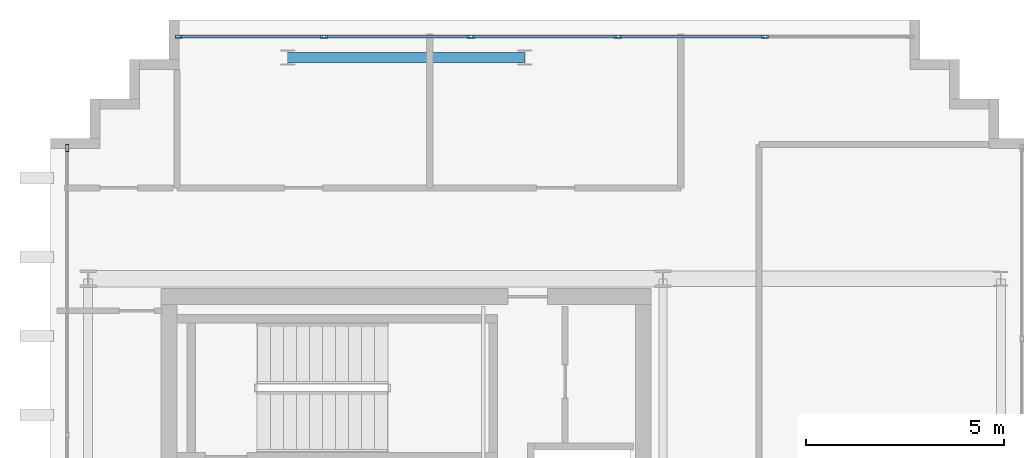
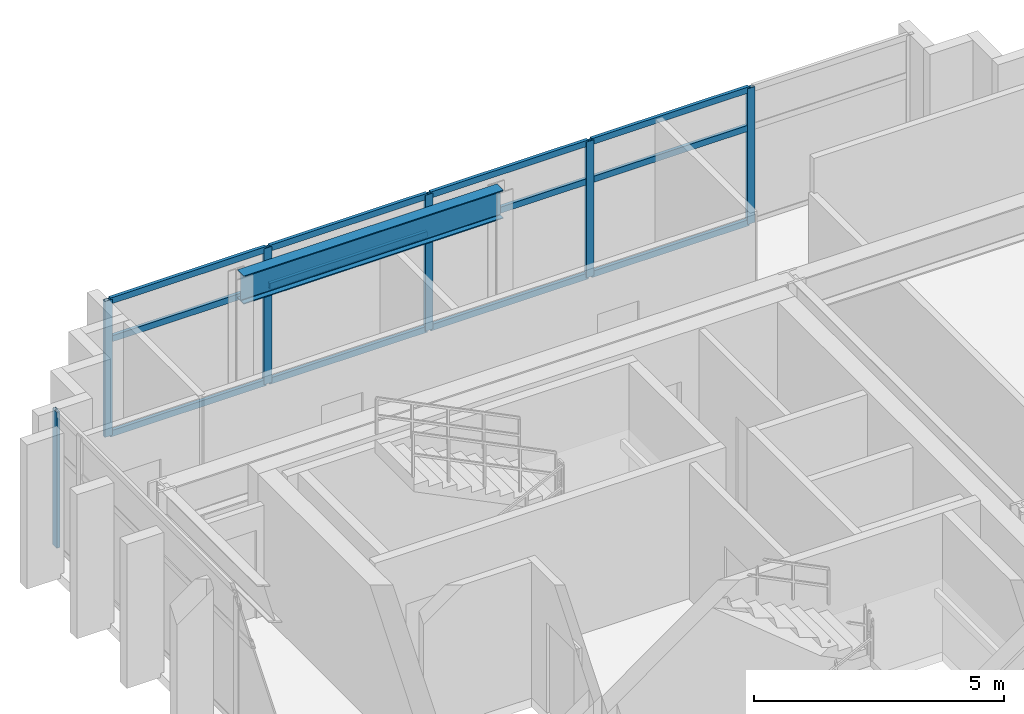
# One storey, part 9 of 15: 18 members, 1 beam, 2 elements without a shape of their own.
"""IFC4 building model written with IfcOpenShell, lengths in metres."""

from ifc_helpers import new_model, si_unit, direction, frame, origin, origin_2d, place, context, subcontext, project, spatial, hollow_rectangle, i_section, extrude, source, transform, mapped, material, layer, layer_set, material_profile, profile_set, type_object, element, aggregate, save


model = new_model("IFC4")

# Units and contexts
model_context = context("Model", 3, precision=1e-05, world=origin(), true_north=direction((0.0, 1.0)))
body_context = subcontext(model_context, "Body", "Model", "MODEL_VIEW")
ifc_project = project(units=[si_unit("LENGTHUNIT", "METRE"), si_unit("AREAUNIT", "SQUARE_METRE"), si_unit("VOLUMEUNIT", "CUBIC_METRE"), si_unit("PLANEANGLEUNIT", "RADIAN"), si_unit("MASSUNIT", "GRAM", prefix="KILO")], contexts=[model_context])

# Site, building, storey
site_placement = place(None, origin())
site = spatial("IfcSite", under=ifc_project, at=site_placement, CompositionType="ELEMENT")
building_placement = place(site_placement, origin())
building = spatial("IfcBuilding", under=site, at=building_placement, Name="Ocotamira Hotel", CompositionType="ELEMENT")
storey_placement = place(building_placement, frame((0.0, 0.0, 297.60009765625)))
storey = spatial("IfcBuildingStorey", under=building, at=storey_placement, Name="L76", CompositionType="ELEMENT", Elevation=297.60009765625)

# Beam
ifc_material_1 = material(Name="Steel ASTM A992 Grade 50", Category="steel")
ifc_material_profile_1 = material_profile(ifc_material_1, i_section(OverallWidth=0.256103515625, OverallDepth=0.693115234375, WebThickness=0.014404296875, FlangeThickness=0.023681640625, FilletRadius=0.01611328125, at=origin_2d()), Name="W27X114")
ifc_profile_set_1 = profile_set([ifc_material_profile_1], Name="Steel ASTM A992 Grade 50")
beam_type = type_object("IfcBeamType", Name="BM-PRIM-W27X114", PredefinedType="BEAM", material=ifc_profile_set_1)
shared_shape_1 = source(origin(), body_context, "Body", "SweptSolid", [
    extrude(i_section(OverallWidth=0.256103515625, OverallDepth=0.693115234375, WebThickness=0.014404296875, FlangeThickness=0.023681640625, FilletRadius=0.01611328125, at=origin_2d()), origin(), (0.0, 0.0, 1.0), 6.0),
])
beam_placement = place(storey_placement, frame((14.0, 43.050048828125, 2.973388671875), z_axis=(1.0, 0.0, 0.0), x_axis=(0.0, 1.0, 0.0)))
element("IfcBeam", 1, at=beam_placement, inside=storey, type_object=beam_type, Name="L76 Girder Y43.05 X14-20", PredefinedType="BEAM", context=body_context, shape_type="MappedRepresentation", body=[
    mapped(shared_shape_1, transform((0.0, 0.0, 0.0), scale=1.0)),
])

# Curtain wall, members
ifc_material_2 = material(Name="Anodised pale-metal aluminium and solar glass", Category="aluminium")
ifc_layer = layer(ifc_material_2, 0.2099609375)
ifc_layer_set = layer_set([ifc_layer], Name="Anodised pale-metal aluminium and solar glass")
curtain_wall_type = type_object("IfcCurtainWallType", Name="CW-SYS7-PEAK", PredefinedType="NOTDEFINED", material=ifc_layer_set)
curtain_wall_1_placement = place(storey_placement, origin())
curtain_wall_1 = element("IfcCurtainWall", 2, at=curtain_wall_1_placement, inside=storey, type_object=curtain_wall_type, Name="L76 Curtain Wall CW-7 CW-L76-N", PredefinedType="NOTDEFINED")
ifc_material_3 = material(Name="Anodised pale-metal aluminium 6063-T6", Category="aluminium")
ifc_material_profile_2 = material_profile(ifc_material_3, hollow_rectangle(XDim=0.074951171875, YDim=0.14990234375, WallThickness=0.006103515625, at=origin_2d()), Name="HSS150X75X6")
ifc_profile_set_2 = profile_set([ifc_material_profile_2], Name="Anodised pale-metal aluminium 6063-T6")
member_type_1 = type_object("IfcMemberType", Name="CWT-150X75", PredefinedType="USERDEFINED", material=ifc_profile_set_2)
shared_shape_2 = source(origin(), body_context, "Body", "SweptSolid", [
    extrude(hollow_rectangle(XDim=0.074951171875, YDim=0.14990234375, WallThickness=0.006103515625, at=origin_2d()), origin(), (0.0, 0.0, 1.0), 3.599853515625),
])
member_1_placement = place(storey_placement, frame((11.280029296875, 43.580078125, 0.037353515625), z_axis=(1.0, 0.0, 0.0), x_axis=(0.0, 1.0, 0.0)))
member_1 = element("IfcMember", 3, at=member_1_placement, type_object=member_type_1, Name="CW-7 transom 1.1", ObjectType="TRANSOM", PredefinedType="USERDEFINED", context=body_context, shape_type="MappedRepresentation", body=[
    mapped(shared_shape_2, transform((0.0, 0.0, 0.0), scale=1.0)),
])
member_2_placement = place(storey_placement, frame((11.280029296875, 43.580078125, 2.349853515625), z_axis=(1.0, 0.0, 0.0), x_axis=(0.0, 1.0, 0.0)))
member_2 = element("IfcMember", 4, at=member_2_placement, type_object=member_type_1, Name="CW-7 transom 1.2", ObjectType="TRANSOM", PredefinedType="USERDEFINED", context=body_context, shape_type="MappedRepresentation", body=[
    mapped(shared_shape_2, transform((0.0, 0.0, 0.0), scale=1.0)),
])
member_3_placement = place(storey_placement, frame((11.280029296875, 43.580078125, 3.282470703125), z_axis=(1.0, 0.0, 0.0), x_axis=(0.0, 1.0, 0.0)))
member_3 = element("IfcMember", 5, at=member_3_placement, type_object=member_type_1, Name="CW-7 transom 1.3", ObjectType="TRANSOM", PredefinedType="USERDEFINED", context=body_context, shape_type="MappedRepresentation", body=[
    mapped(shared_shape_2, transform((0.0, 0.0, 0.0), scale=1.0)),
])
shared_shape_3 = source(origin(), body_context, "Body", "SweptSolid", [
    extrude(hollow_rectangle(XDim=0.074951171875, YDim=0.14990234375, WallThickness=0.006103515625, at=origin_2d()), origin(), (0.0, 0.0, 1.0), 3.64013671875),
])
member_4_placement = place(storey_placement, frame((14.9599609375, 43.580078125, 0.037353515625), z_axis=(1.0, 0.0, 0.0), x_axis=(0.0, 1.0, 0.0)))
member_4 = element("IfcMember", 6, at=member_4_placement, type_object=member_type_1, Name="CW-7 transom 2.1", ObjectType="TRANSOM", PredefinedType="USERDEFINED", context=body_context, shape_type="MappedRepresentation", body=[
    mapped(shared_shape_3, transform((0.0, 0.0, 0.0), scale=1.0)),
])
member_5_placement = place(storey_placement, frame((14.9599609375, 43.580078125, 2.349853515625), z_axis=(1.0, 0.0, 0.0), x_axis=(0.0, 1.0, 0.0)))
member_5 = element("IfcMember", 7, at=member_5_placement, type_object=member_type_1, Name="CW-7 transom 2.2", ObjectType="TRANSOM", PredefinedType="USERDEFINED", context=body_context, shape_type="MappedRepresentation", body=[
    mapped(shared_shape_3, transform((0.0, 0.0, 0.0), scale=1.0)),
])
member_6_placement = place(storey_placement, frame((14.9599609375, 43.580078125, 3.282470703125), z_axis=(1.0, 0.0, 0.0), x_axis=(0.0, 1.0, 0.0)))
member_6 = element("IfcMember", 8, at=member_6_placement, type_object=member_type_1, Name="CW-7 transom 2.3", ObjectType="TRANSOM", PredefinedType="USERDEFINED", context=body_context, shape_type="MappedRepresentation", body=[
    mapped(shared_shape_3, transform((0.0, 0.0, 0.0), scale=1.0)),
])
member_7_placement = place(storey_placement, frame((18.679931640625, 43.580078125, 0.037353515625), z_axis=(1.0, 0.0, 0.0), x_axis=(0.0, 1.0, 0.0)))
member_7 = element("IfcMember", 9, at=member_7_placement, type_object=member_type_1, Name="CW-7 transom 3.1", ObjectType="TRANSOM", PredefinedType="USERDEFINED", context=body_context, shape_type="MappedRepresentation", body=[
    mapped(shared_shape_3, transform((0.0, 0.0, 0.0), scale=1.0)),
])
member_8_placement = place(storey_placement, frame((18.679931640625, 43.580078125, 2.349853515625), z_axis=(1.0, 0.0, 0.0), x_axis=(0.0, 1.0, 0.0)))
member_8 = element("IfcMember", 10, at=member_8_placement, type_object=member_type_1, Name="CW-7 transom 3.2", ObjectType="TRANSOM", PredefinedType="USERDEFINED", context=body_context, shape_type="MappedRepresentation", body=[
    mapped(shared_shape_3, transform((0.0, 0.0, 0.0), scale=1.0)),
])
member_9_placement = place(storey_placement, frame((18.679931640625, 43.580078125, 3.282470703125), z_axis=(1.0, 0.0, 0.0), x_axis=(0.0, 1.0, 0.0)))
member_9 = element("IfcMember", 11, at=member_9_placement, type_object=member_type_1, Name="CW-7 transom 3.3", ObjectType="TRANSOM", PredefinedType="USERDEFINED", context=body_context, shape_type="MappedRepresentation", body=[
    mapped(shared_shape_3, transform((0.0, 0.0, 0.0), scale=1.0)),
])
member_10_placement = place(storey_placement, frame((22.39990234375, 43.580078125, 0.037353515625), z_axis=(1.0, 0.0, 0.0), x_axis=(0.0, 1.0, 0.0)))
member_10 = element("IfcMember", 12, at=member_10_placement, type_object=member_type_1, Name="CW-7 transom 4.1", ObjectType="TRANSOM", PredefinedType="USERDEFINED", context=body_context, shape_type="MappedRepresentation", body=[
    mapped(shared_shape_3, transform((0.0, 0.0, 0.0), scale=1.0)),
])
member_11_placement = place(storey_placement, frame((22.39990234375, 43.580078125, 2.349853515625), z_axis=(1.0, 0.0, 0.0), x_axis=(0.0, 1.0, 0.0)))
member_11 = element("IfcMember", 13, at=member_11_placement, type_object=member_type_1, Name="CW-7 transom 4.2", ObjectType="TRANSOM", PredefinedType="USERDEFINED", context=body_context, shape_type="MappedRepresentation", body=[
    mapped(shared_shape_3, transform((0.0, 0.0, 0.0), scale=1.0)),
])
member_12_placement = place(storey_placement, frame((22.39990234375, 43.580078125, 3.282470703125), z_axis=(1.0, 0.0, 0.0), x_axis=(0.0, 1.0, 0.0)))
member_12 = element("IfcMember", 14, at=member_12_placement, type_object=member_type_1, Name="CW-7 transom 4.3", ObjectType="TRANSOM", PredefinedType="USERDEFINED", context=body_context, shape_type="MappedRepresentation", body=[
    mapped(shared_shape_3, transform((0.0, 0.0, 0.0), scale=1.0)),
])
ifc_material_profile_3 = material_profile(ifc_material_3, hollow_rectangle(XDim=0.080078125, YDim=0.179931640625, WallThickness=0.006103515625, at=origin_2d()), Name="HSS180X80X6")
ifc_profile_set_3 = profile_set([ifc_material_profile_3], Name="Anodised pale-metal aluminium 6063-T6")
member_type_2 = type_object("IfcMemberType", Name="CWM-180X75", PredefinedType="MULLION", material=ifc_profile_set_3)
shared_shape_4 = source(origin(), body_context, "Body", "SweptSolid", [
    extrude(hollow_rectangle(XDim=0.080078125, YDim=0.179931640625, WallThickness=0.006103515625, at=origin_2d()), origin(), (0.0, 0.0, 1.0), 3.31982421875),
])
member_13_placement = place(storey_placement, frame((11.239990234375, 43.580078125, 0.0), z_axis=(0.0, 0.0, 1.0), x_axis=(0.0, 1.0, 0.0)))
member_13 = element("IfcMember", 15, at=member_13_placement, type_object=member_type_2, Name="CW-7 mullion 1", PredefinedType="MULLION", context=body_context, shape_type="MappedRepresentation", body=[
    mapped(shared_shape_4, transform((0.0, 0.0, 0.0), scale=1.0)),
])
member_14_placement = place(storey_placement, frame((14.919921875, 43.580078125, 0.0), z_axis=(0.0, 0.0, 1.0), x_axis=(0.0, 1.0, 0.0)))
member_14 = element("IfcMember", 16, at=member_14_placement, type_object=member_type_2, Name="CW-7 mullion 2", PredefinedType="MULLION", context=body_context, shape_type="MappedRepresentation", body=[
    mapped(shared_shape_4, transform((0.0, 0.0, 0.0), scale=1.0)),
])
member_15_placement = place(storey_placement, frame((18.639892578125, 43.580078125, 0.0), z_axis=(0.0, 0.0, 1.0), x_axis=(0.0, 1.0, 0.0)))
member_15 = element("IfcMember", 17, at=member_15_placement, type_object=member_type_2, Name="CW-7 mullion 3", PredefinedType="MULLION", context=body_context, shape_type="MappedRepresentation", body=[
    mapped(shared_shape_4, transform((0.0, 0.0, 0.0), scale=1.0)),
])
member_16_placement = place(storey_placement, frame((22.360107421875, 43.580078125, 0.0), z_axis=(0.0, 0.0, 1.0), x_axis=(0.0, 1.0, 0.0)))
member_16 = element("IfcMember", 18, at=member_16_placement, type_object=member_type_2, Name="CW-7 mullion 4", PredefinedType="MULLION", context=body_context, shape_type="MappedRepresentation", body=[
    mapped(shared_shape_4, transform((0.0, 0.0, 0.0), scale=1.0)),
])
member_17_placement = place(storey_placement, frame((26.080078125, 43.580078125, 0.0), z_axis=(0.0, 0.0, 1.0), x_axis=(0.0, 1.0, 0.0)))
member_17 = element("IfcMember", 19, at=member_17_placement, type_object=member_type_2, Name="CW-7 mullion 5", PredefinedType="MULLION", context=body_context, shape_type="MappedRepresentation", body=[
    mapped(shared_shape_4, transform((0.0, 0.0, 0.0), scale=1.0)),
])
aggregate(curtain_wall_1, [member_13, member_14, member_15, member_16, member_17, member_1, member_2, member_3, member_4, member_5, member_6, member_7, member_8, member_9, member_10, member_11, member_12])

# Curtain wall, member
curtain_wall_2_placement = place(storey_placement, origin())
curtain_wall_2 = element("IfcCurtainWall", 20, at=curtain_wall_2_placement, inside=storey, type_object=curtain_wall_type, Name="L76 Curtain Wall CW-7 CW-L76-W2", PredefinedType="NOTDEFINED")
member_18_placement = place(storey_placement, frame((8.419921875, 40.760009765625, 0.0), z_axis=(0.0, 0.0, 1.0), x_axis=(-1.0, 0.0, 0.0)))
member_18 = element("IfcMember", 21, at=member_18_placement, type_object=member_type_2, Name="CW-7 mullion 3", PredefinedType="MULLION", context=body_context, shape_type="MappedRepresentation", body=[
    mapped(shared_shape_4, transform((0.0, 0.0, 0.0), scale=1.0)),
])
aggregate(curtain_wall_2, [member_18])

save(model, "model.ifc")
